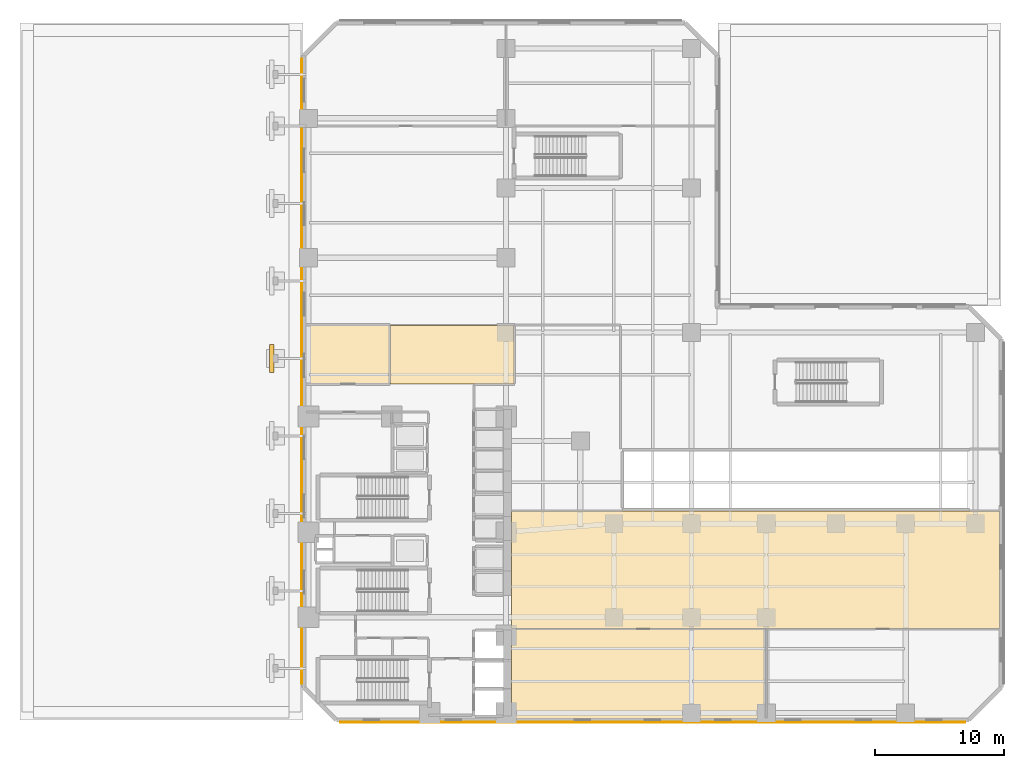
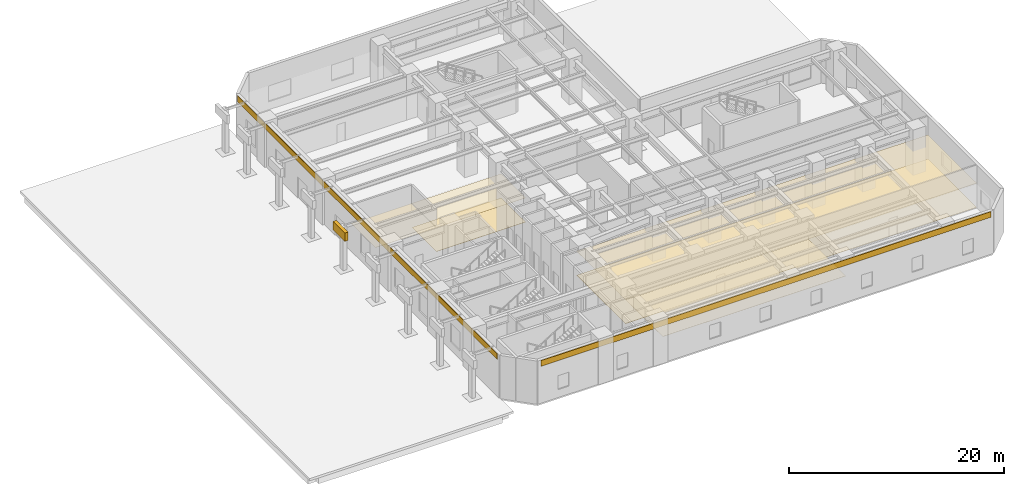
# One storey, part 9 of 14: 8 coverings, 1 shading device.
"""IFC4 building model written with IfcOpenShell, lengths in metres."""

import ifcopenshell
import ifcopenshell.guid

model = None  # the IFC model being written
_history = None  # IfcOwnerHistory: only IFC2X3 demands one
_inside = {}  # id of a spatial element -> (the spatial element, [elements in it])
_under = {}  # id of a project, library or spatial element -> (it, [spatial elements below it])
_declared = {}  # id of a project -> (the project, [libraries it declares])
_typed = {}  # id of a type object -> (the type object, [elements of that type])
_made_of = {}  # id of a material, layer set ... -> (it, [elements and type objects made of it])


def new_model(schema):
    """Start an empty IFC model of exactly this schema.

    Asked for "IFC4X3", IfcOpenShell would pick the latest addendum, in which some entities
    have other attributes; the version numbers below select the first issue.
    IFC2X3 requires an IfcOwnerHistory on every rooted entity: one is made here for all.
    """
    global model, _history
    if schema == "IFC4X3":
        model = ifcopenshell.file(schema_version=(4, 3, 0, 0))
    else:
        model = ifcopenshell.file(schema=schema)
    _inside.clear()
    _under.clear()
    _declared.clear()
    _typed.clear()
    _made_of.clear()
    _history = None
    if model.schema == "IFC2X3":
        org = make("IfcOrganization", Name="unknown")
        user = make(
            "IfcPersonAndOrganization",
            ThePerson=make("IfcPerson", FamilyName="unknown"),
            TheOrganization=org,
        )
        app = make(
            "IfcApplication",
            ApplicationDeveloper=org,
            Version="unknown",
            ApplicationFullName="unknown",
            ApplicationIdentifier="unknown",
        )
        _history = make(
            "IfcOwnerHistory",
            OwningUser=user,
            OwningApplication=app,
            ChangeAction="ADDED",
            CreationDate=0,
        )
    return model


def make(cls, **values):
    """One entity of the class cls with the attributes given. An attribute that is None is left unset."""
    return model.create_entity(
        cls, **{name: value for name, value in values.items() if value is not None}
    )


def rooted(cls, **values):
    """An entity with a GlobalId (a new one), such as an element, a storey or a relation."""
    return make(cls, GlobalId=ifcopenshell.guid.new(), OwnerHistory=_history, **values)


def si_unit(unit_type, name, prefix=None):
    """IfcSIUnit, for example si_unit("LENGTHUNIT", "METRE", prefix="MILLI")."""
    return make("IfcSIUnit", UnitType=unit_type, Prefix=prefix, Name=name)


def assignment(units):
    """IfcUnitAssignment: the units of a project."""
    return None if units is None else make("IfcUnitAssignment", Units=units)


def point(xyz):
    """IfcCartesianPoint."""
    return None if xyz is None else make("IfcCartesianPoint", Coordinates=xyz)


def direction(xyz):
    """IfcDirection."""
    return None if xyz is None else make("IfcDirection", DirectionRatios=xyz)


def frame(location, z_axis=None, x_axis=None):
    """IfcAxis2Placement3D, a coordinate frame: its origin and axes. An axis left out is left unset."""
    return make(
        "IfcAxis2Placement3D",
        Location=point(location),
        Axis=direction(z_axis),
        RefDirection=direction(x_axis),
    )


def frame_2d(location, x_axis=None):
    """IfcAxis2Placement2D, a coordinate frame in the plane: its origin and x axis."""
    return make(
        "IfcAxis2Placement2D", Location=point(location), RefDirection=direction(x_axis)
    )


def origin():
    """The frame at (0, 0, 0) with its axes left unset."""
    return frame((0.0, 0.0, 0.0))


def origin_2d():
    """The frame at (0, 0) in the plane with its x axis left unset."""
    return frame_2d((0.0, 0.0))


def place(relative_to, where):
    """IfcLocalPlacement: puts the frame where relative to a parent placement (None: the world)."""
    return make(
        "IfcLocalPlacement", PlacementRelTo=relative_to, RelativePlacement=where
    )


def context(
    kind, dimensions, precision=None, world=None, true_north=None, identifier=None
):
    """IfcGeometricRepresentationContext, for example the 3D "Model" context."""
    return make(
        "IfcGeometricRepresentationContext",
        ContextIdentifier=identifier,
        ContextType=kind,
        CoordinateSpaceDimension=dimensions,
        Precision=precision,
        WorldCoordinateSystem=world,
        TrueNorth=true_north,
    )


def subcontext(parent, identifier, kind, view, scale=None):
    """IfcGeometricRepresentationSubContext, for example "Body" below "Model"."""
    return make(
        "IfcGeometricRepresentationSubContext",
        ContextIdentifier=identifier,
        ContextType=kind,
        ParentContext=parent,
        TargetScale=scale,
        TargetView=view,
    )


def project(units=None, contexts=None):
    """IfcProject with its units and contexts."""
    return rooted(
        "IfcProject",
        Name="project",
        RepresentationContexts=contexts,
        UnitsInContext=assignment(units),
    )


def spatial(cls, under=None, at=None, **own):
    """A site, building, storey or space (cls), placed at a placement, below another one or the project."""
    s = rooted(cls, ObjectPlacement=at, **own)
    if under is not None:
        _under.setdefault(under.id(), (under, []))[1].append(s)
    return s


def polyline(points):
    """IfcPolyline through the points."""
    return make("IfcPolyline", Points=[point(p) for p in points])


def profile(cls, at=None, kind="AREA", **sizes):
    """A parametric profile (cls). Its sizes go by their IFC names, for example OverallWidth=200.0."""
    return make(cls, ProfileType=kind, Position=at, **sizes)


def rectangle(**sizes):
    """IfcRectangleProfileDef."""
    return profile("IfcRectangleProfileDef", **sizes)


def outline(outer, holes=None, kind="AREA"):
    """IfcArbitraryClosedProfileDef: a profile drawn as a closed curve; with holes, ...WithVoids."""
    if holes is None:
        return make("IfcArbitraryClosedProfileDef", ProfileType=kind, OuterCurve=outer)
    return make(
        "IfcArbitraryProfileDefWithVoids",
        ProfileType=kind,
        OuterCurve=outer,
        InnerCurves=holes,
    )


def extrude(swept, where, along, depth):
    """IfcExtrudedAreaSolid: the profile swept, set in the frame where, extruded along a direction by depth."""
    return make(
        "IfcExtrudedAreaSolid",
        SweptArea=swept,
        Position=where,
        ExtrudedDirection=direction(along),
        Depth=depth,
    )


def shape(context_of_items, identifier, shape_type, items):
    """IfcShapeRepresentation: the items that make up one representation, for example the "Body"."""
    return make(
        "IfcShapeRepresentation",
        ContextOfItems=context_of_items,
        RepresentationIdentifier=identifier,
        RepresentationType=shape_type,
        Items=items,
    )


def material(Name=None, Category=None):
    """IfcMaterial."""
    return make("IfcMaterial", Name=Name, Category=Category)


def layer(
    of_material, thickness, ventilated=None, Name=None, Category=None, Priority=None
):
    """IfcMaterialLayer: one layer of a wall or slab, of a material (None: an air gap)."""
    return make(
        "IfcMaterialLayer",
        Material=of_material,
        LayerThickness=thickness,
        IsVentilated=ventilated,
        Name=Name,
        Category=Category,
        Priority=Priority,
    )


def layer_set(layers, Name=None):
    """IfcMaterialLayerSet."""
    return make("IfcMaterialLayerSet", MaterialLayers=layers, LayerSetName=Name)


def made_of(thing, what):
    """Note that an element or type object is made of a material, layer set ...; save() writes the relation."""
    if what is not None:
        _made_of.setdefault(what.id(), (what, []))[1].append(thing)
    return thing


def type_object(cls, material=None, **own):
    """A type object (cls), such as IfcWallType, which elements share."""
    return made_of(rooted(cls, **own), material)


def element(
    cls,
    number,
    at=None,
    inside=None,
    cuts=None,
    type_object=None,
    material=None,
    context=None,
    identifier="Body",
    shape_type=None,
    held_by="IfcProductDefinitionShape",
    body=None,
    shapes=None,
    **own,
):
    """One element of the class cls, such as IfcWall. Its Tag is "e" and its number.

    at: its placement. inside: the storey or other place that contains it. cuts: it is an
    opening in that element (IfcRelVoidsElement). A single representation is given by context,
    identifier, shape_type and body (its items); several are given by shapes. held_by: the class
    of the entity that holds the representations. save() writes the other relations.
    """
    e = rooted(cls, Tag="e%d" % number, ObjectPlacement=at, **own)
    if body is not None:
        shapes = [shape(context, identifier, shape_type, body)]
    if shapes is not None:
        e.Representation = make(held_by, Representations=shapes)
    if inside is not None:
        _inside.setdefault(inside.id(), (inside, []))[1].append(e)
    if cuts is not None:
        rooted(
            "IfcRelVoidsElement", RelatingBuildingElement=cuts, RelatedOpeningElement=e
        )
    if type_object is not None:
        _typed.setdefault(type_object.id(), (type_object, []))[1].append(e)
    return made_of(e, material)


def aggregate(whole, parts):
    """IfcRelAggregates: a whole, such as a stair, and the parts it consists of."""
    return rooted("IfcRelAggregates", RelatingObject=whole, RelatedObjects=parts)


def save(model, path):
    """Write the relations noted so far, then the file.

    IfcRelAggregates (storeys below a building ...), IfcRelContainedInSpatialStructure (elements
    in a storey), IfcRelDefinesByType, IfcRelAssociatesMaterial and IfcRelDeclares: one each for
    every whole, place, type object, material and project.
    """
    for whole, parts in _under.values():
        aggregate(whole, parts)
    for where, things in _inside.values():
        rooted(
            "IfcRelContainedInSpatialStructure",
            RelatedElements=things,
            RelatingStructure=where,
        )
    for kind, things in _typed.values():
        rooted("IfcRelDefinesByType", RelatedObjects=things, RelatingType=kind)
    for what, things in _made_of.values():
        rooted("IfcRelAssociatesMaterial", RelatedObjects=things, RelatingMaterial=what)
    for by, libraries in _declared.values():
        rooted("IfcRelDeclares", RelatingContext=by, RelatedDefinitions=libraries)
    model.write(path)


model = new_model("IFC4")

# Units and contexts
model_context = context("Model", 3, precision=1e-05, world=origin(), true_north=direction((0.0, 1.0)))
body_context = subcontext(model_context, "Body", "Model", "MODEL_VIEW")
ifc_project = project(units=[si_unit("LENGTHUNIT", "METRE"), si_unit("AREAUNIT", "SQUARE_METRE"), si_unit("VOLUMEUNIT", "CUBIC_METRE"), si_unit("PLANEANGLEUNIT", "RADIAN"), si_unit("MASSUNIT", "GRAM", prefix="KILO")], contexts=[model_context])

# Site, building, storey
site_placement = place(None, origin())
site = spatial("IfcSite", under=ifc_project, at=site_placement, CompositionType="ELEMENT")
building_placement = place(site_placement, origin())
building = spatial("IfcBuilding", under=site, at=building_placement, Name="Mawjaban Terraces University", CompositionType="ELEMENT")
storey_placement = place(building_placement, origin())
storey = spatial("IfcBuildingStorey", under=building, at=storey_placement, Name="L00", CompositionType="ELEMENT", Elevation=0.0)

# Coverings
ifc_material_1 = material(Name="Acoustic mineral fibre ceiling tile", Category="masonry")
ifc_layer_1 = layer(ifc_material_1, 0.02001953125)
ifc_layer_set_1 = layer_set([ifc_layer_1], Name="Acoustic mineral fibre ceiling tile")
covering_type_1 = type_object("IfcCoveringType", Name="AcousticMineralCeiling_20", PredefinedType="CEILING", material=ifc_layer_set_1)
covering_1_placement = place(storey_placement, frame((0.0, 0.0, 2.75)))
element("IfcCovering", 1, at=covering_1_placement, inside=storey, type_object=covering_type_1, Name="L00 Fire Command Centre Acoustic Ceiling", PredefinedType="CEILING", context=body_context, shape_type="SweptSolid", body=[
    extrude(outline(polyline([(22.114990234375, 30.570068359375), (22.114990234375, 26.030029296875), (28.6201171875, 26.030029296875), (28.6201171875, 30.570068359375), (22.114990234375, 30.570068359375)])), origin(), (0.0, 0.0, 1.0), 0.02001953125),
])
covering_2_placement = place(storey_placement, frame((0.0, 0.0, 2.75)))
element("IfcCovering", 2, at=covering_2_placement, inside=storey, type_object=covering_type_1, Name="L00 Core Entrance Vestibule Acoustic Ceiling", PredefinedType="CEILING", context=body_context, shape_type="SweptSolid", body=[
    extrude(outline(polyline([(38.27001953125, 26.030029296875), (38.27001953125, 30.570068359375), (28.679931640625, 30.570068359375), (28.679931640625, 26.030029296875), (38.27001953125, 26.030029296875)])), origin(), (0.0, 0.0, 1.0), 0.02001953125),
])
covering_3_placement = place(storey_placement, frame((0.0, 0.0, 2.75)))
element("IfcCovering", 3, at=covering_3_placement, inside=storey, type_object=covering_type_1, Name="L00 Podium Lecture Theatre Foyer Acoustic Ceiling", PredefinedType="CEILING", context=body_context, shape_type="SweptSolid", body=[
    extrude(outline(polyline([(38.080078125, 16.169921875), (38.080078125, 7.080078125), (75.885009765625, 7.080078125), (75.885009765625, 16.169921875), (38.080078125, 16.169921875)])), origin(), (0.0, 0.0, 1.0), 0.02001953125),
])
covering_4_placement = place(storey_placement, frame((0.0, 0.0, 2.75)))
element("IfcCovering", 4, at=covering_4_placement, inside=storey, type_object=covering_type_1, Name="L00 Campus Security and Estates Office Acoustic Ceiling", PredefinedType="CEILING", context=body_context, shape_type="SweptSolid", body=[
    extrude(outline(polyline([(38.080078125, 0.114990234375), (57.77001953125, 0.114990234375), (57.77001953125, 7.02001953125), (38.080078125, 7.02001953125), (38.080078125, 0.114990234375)])), origin(), (0.0, 0.0, 1.0), 0.02001953125),
])

# Shading device
ifc_material_2 = material(Name="Anodised aluminium 6063-T6", Category="aluminium")
ifc_layer_2 = layer(ifc_material_2, 0.090087890625)
ifc_layer_set_2 = layer_set([ifc_layer_2], Name="Anodised aluminium 6063-T6")
shading_device_type = type_object("IfcShadingDeviceType", Name="ArcadeSunshadeShutter", PredefinedType="SHUTTER", material=ifc_layer_set_2)
shading_device_placement = place(storey_placement, frame((19.5, 28.0, 3.9248046875), z_axis=(0.0, 0.0, 1.0), x_axis=(1.0, 0.0, 0.0)))
element("IfcShadingDevice", 5, at=shading_device_placement, inside=storey, type_object=shading_device_type, Name="L00 Plaza Arcade Sunshade 05", PredefinedType="SHUTTER", context=body_context, shape_type="SweptSolid", body=[
    extrude(rectangle(XDim=0.35009765625, YDim=2.199951171875, at=origin_2d()), origin(), (0.0, 0.0, 1.0), 0.949951171875),
])

# Coverings
ifc_material_3 = material(Name="Glazed architectural terracotta rainscreen", Category="masonry")
ifc_layer_3 = layer(ifc_material_3, 0.06005859375)
ifc_layer_set_3 = layer_set([ifc_layer_3], Name="Glazed architectural terracotta rainscreen")
covering_type_2 = type_object("IfcCoveringType", Name="TerracottaSpandrelCladding_60", PredefinedType="CLADDING", material=ifc_layer_set_3)
for number, where, z_axis, x_axis, name in (
    (6, (49.0, -0.18505859375, 4.2451171875), (0.0, 0.0, 1.0), (1.0, 0.0, 0.0), "L00 Terracotta Spandrel Cladding 1"),
    (7, (21.81494140625, 27.0, 4.2451171875), (0.0, 0.0, 1.0), (0.0, -1.0, 0.0), "L00 Terracotta Spandrel Cladding 10"),
):
    element("IfcCovering", number, at=place(storey_placement, frame(where, z_axis=z_axis, x_axis=x_axis)), inside=storey, type_object=covering_type_2, Name=name, PredefinedType="CLADDING", context=body_context, shape_type="SweptSolid", body=[
        extrude(rectangle(XDim=48.39990234375, YDim=0.06005859375, at=origin_2d()), origin(), (0.0, 0.0, 1.0), 0.64990234375),
    ])
ifc_material_4 = material(Name="Polished Hijazi granite terrazzo flooring", Category="masonry")
ifc_layer_4 = layer(ifc_material_4, 0.02490234375)
ifc_layer_set_4 = layer_set([ifc_layer_4], Name="Polished Hijazi granite terrazzo flooring")
covering_type_3 = type_object("IfcCoveringType", Name="TerrazzoConcourseFlooring_25", PredefinedType="FLOORING", material=ifc_layer_set_4)
covering_5_placement = place(storey_placement, origin())
element("IfcCovering", 8, at=covering_5_placement, inside=storey, type_object=covering_type_3, Name="L00 Core Entrance Vestibule Terrazzo Flooring", PredefinedType="FLOORING", context=body_context, shape_type="SweptSolid", body=[
    extrude(outline(polyline([(38.27001953125, 26.030029296875), (38.27001953125, 30.570068359375), (28.679931640625, 30.570068359375), (28.679931640625, 26.030029296875), (38.27001953125, 26.030029296875)])), origin(), (0.0, 0.0, 1.0), 0.02490234375),
])
covering_6_placement = place(storey_placement, origin())
element("IfcCovering", 9, at=covering_6_placement, inside=storey, type_object=covering_type_3, Name="L00 Podium Lecture Theatre Foyer Terrazzo Flooring", PredefinedType="FLOORING", context=body_context, shape_type="SweptSolid", body=[
    extrude(outline(polyline([(38.080078125, 16.169921875), (38.080078125, 7.080078125), (75.885009765625, 7.080078125), (75.885009765625, 16.169921875), (38.080078125, 16.169921875)])), origin(), (0.0, 0.0, 1.0), 0.02490234375),
])

save(model, "model.ifc")
